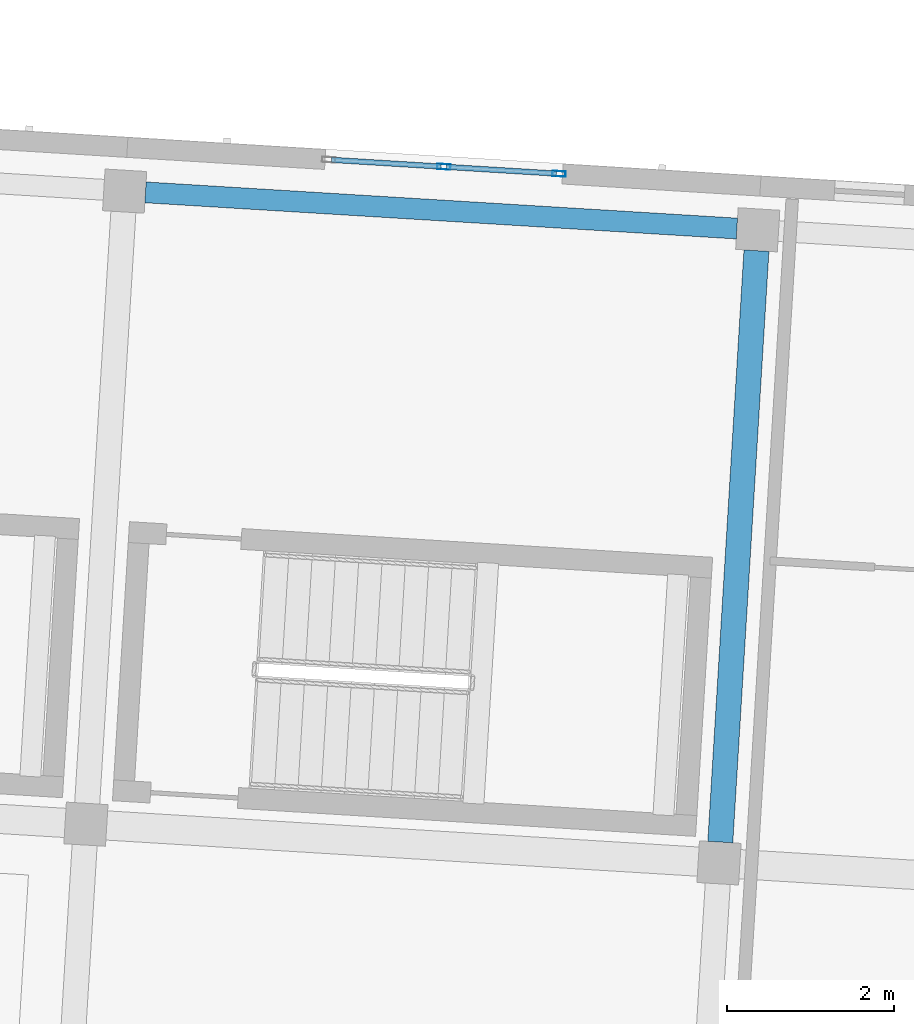
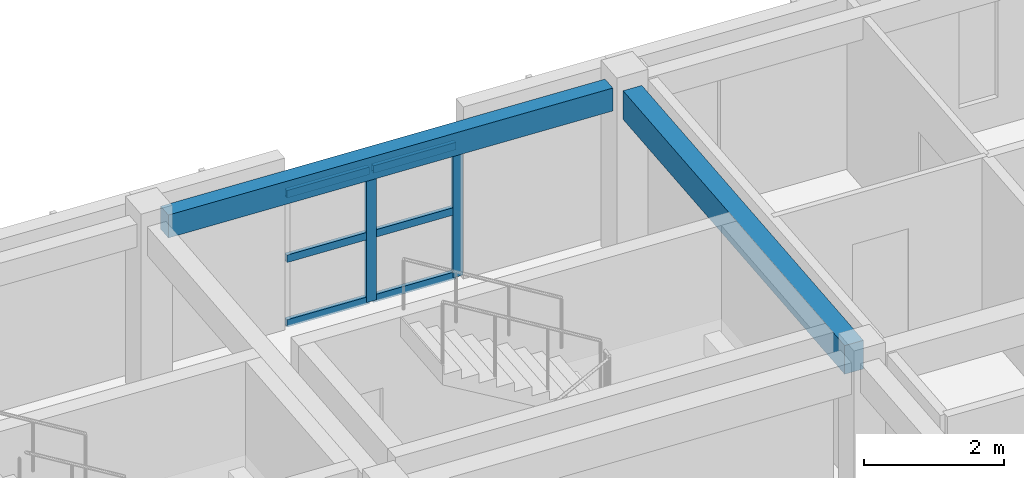
# One storey, part 4 of 74: 8 members, 2 beams, 1 element without a shape of its own.
"""IFC4 building model written with IfcOpenShell, lengths in metres."""

from ifc_helpers import new_model, si_unit, direction, frame, origin, origin_2d, place, context, subcontext, project, spatial, rectangle, hollow_rectangle, extrude, material, material_profile, profile_set, type_object, element, aggregate, save


model = new_model("IFC4")

# Units and contexts
model_context = context("Model", 3, precision=1e-05, world=origin(), true_north=direction((0.0, 1.0)))
body_context = subcontext(model_context, "Body", "Model", "MODEL_VIEW")
ifc_project = project(units=[si_unit("LENGTHUNIT", "METRE"), si_unit("AREAUNIT", "SQUARE_METRE"), si_unit("VOLUMEUNIT", "CUBIC_METRE"), si_unit("PLANEANGLEUNIT", "RADIAN"), si_unit("MASSUNIT", "GRAM", prefix="KILO")], contexts=[model_context])

# Site, building, storey
site_placement = place(None, origin())
site = spatial("IfcSite", under=ifc_project, at=site_placement, CompositionType="ELEMENT")
building_placement = place(site_placement, origin())
building = spatial("IfcBuilding", under=site, at=building_placement, Name="Kestramere Prow Commons", CompositionType="ELEMENT")
storey_placement = place(building_placement, frame((0.0, 0.0, 11.64990234375)))
storey = spatial("IfcBuildingStorey", under=building, at=storey_placement, Name="L03", CompositionType="ELEMENT", Elevation=11.64990234375)

# Beam
ifc_material_1 = material(Name="Precast concrete C40/50", Category="concrete")
ifc_material_profile_1 = material_profile(ifc_material_1, rectangle(XDim=0.300048828125, YDim=0.5, at=origin_2d()), Name="PC-BM 300x500")
ifc_profile_set_1 = profile_set([ifc_material_profile_1], Name="Precast concrete C40/50")
beam_type_1 = type_object("IfcBeamType", Name="BM-TIE-01 PC-BM 300x500", PredefinedType="BEAM", material=ifc_profile_set_1)
beam_1_placement = place(storey_placement, frame((83.00537109375, 57.335205078125, 2.75), z_axis=(0.061033859059, 0.99813569621, 0.0), x_axis=(-0.99813569621, 0.061033859059, 0.0)))
element("IfcBeam", 1, at=beam_1_placement, inside=storey, type_object=beam_type_1, Name="Block C L03 Transverse Beam 4-3", PredefinedType="BEAM", context=body_context, shape_type="SweptSolid", body=[
    extrude(rectangle(XDim=0.300048828125, YDim=0.5, at=origin_2d()), origin(), (0.0, 0.0, 1.0), 7.10009765625),
])

# Curtain wall, members
ifc_material_2 = material(Name="Anodised Aluminium and Low-E Glass", Category="aluminium")
curtain_wall_type = type_object("IfcCurtainWallType", Name="CW-03 Glazed Curtain Wall 2830x2320", PredefinedType="USERDEFINED", material=ifc_material_2)
curtain_wall_placement = place(storey_placement, origin())
curtain_wall = element("IfcCurtainWall", 2, at=curtain_wall_placement, inside=storey, type_object=curtain_wall_type, Name="Block C L03 Stairwell Vertical Glazing 3", ObjectType="GLAZED CURTAIN WALL", PredefinedType="USERDEFINED")
ifc_material_3 = material(Name="Anodised Aluminium 6063-T6", Category="aluminium")
ifc_material_profile_2 = material_profile(ifc_material_3, hollow_rectangle(XDim=0.06494140625, YDim=0.159912109375, WallThickness=0.00390625, at=origin_2d()), Name="ALU-MUL 65x160")
ifc_profile_set_2 = profile_set([ifc_material_profile_2], Name="Anodised Aluminium 6063-T6")
member_type_1 = type_object("IfcMemberType", Name="CW-MUL-65x160", PredefinedType="MULLION", material=ifc_profile_set_2)
member_1_placement = place(storey_placement, frame((79.693115234375, 65.427490234375, 0.0), z_axis=(0.0, 0.0, 1.0), x_axis=(0.061048399176, 0.998134807007, 0.0)))
member_1 = element("IfcMember", 3, at=member_1_placement, type_object=member_type_1, Name="CW-03 mullion 2", PredefinedType="MULLION", context=body_context, shape_type="SweptSolid", body=[
    extrude(hollow_rectangle(XDim=0.06494140625, YDim=0.159912109375, WallThickness=0.00390625, at=origin_2d()), origin(), (0.0, 0.0, 1.0), 2.320068359375),
])
member_2_placement = place(storey_placement, frame((81.072998046875, 65.34326171875, 0.0), z_axis=(0.0, 0.0, 1.0), x_axis=(0.061048399176, 0.998134807007, 0.0)))
member_2 = element("IfcMember", 4, at=member_2_placement, type_object=member_type_1, Name="CW-03 mullion 3", PredefinedType="MULLION", context=body_context, shape_type="SweptSolid", body=[
    extrude(hollow_rectangle(XDim=0.06494140625, YDim=0.159912109375, WallThickness=0.00390625, at=origin_2d()), origin(), (0.0, 0.0, 1.0), 2.320068359375),
])
ifc_material_profile_3 = material_profile(ifc_material_3, hollow_rectangle(XDim=0.06494140625, YDim=0.1298828125, WallThickness=0.00390625, at=origin_2d()), Name="ALU-TRN 65x130")
ifc_profile_set_3 = profile_set([ifc_material_profile_3], Name="Anodised Aluminium 6063-T6")
member_type_2 = type_object("IfcMemberType", Name="CW-TRN-65x130", PredefinedType="USERDEFINED", material=ifc_profile_set_3)
member_3_placement = place(storey_placement, frame((78.345703125, 65.510009765625, 0.03271484375), z_axis=(0.99812826429, -0.061155277983, 0.0), x_axis=(0.061155277983, 0.99812826429, 0.0)))
member_3 = element("IfcMember", 5, at=member_3_placement, type_object=member_type_2, Name="CW-03 transom 1.1", ObjectType="TRANSOM", PredefinedType="USERDEFINED", context=body_context, shape_type="SweptSolid", body=[
    extrude(hollow_rectangle(XDim=0.06494140625, YDim=0.1298828125, WallThickness=0.00390625, at=origin_2d()), origin(), (0.0, 0.0, 1.0), 1.3173828125),
])
member_4_placement = place(storey_placement, frame((78.345703125, 65.510009765625, 1.16015625), z_axis=(0.99812826429, -0.061155277983, 0.0), x_axis=(0.061155277983, 0.99812826429, 0.0)))
member_4 = element("IfcMember", 6, at=member_4_placement, type_object=member_type_2, Name="CW-03 transom 1.2", ObjectType="TRANSOM", PredefinedType="USERDEFINED", context=body_context, shape_type="SweptSolid", body=[
    extrude(hollow_rectangle(XDim=0.06494140625, YDim=0.1298828125, WallThickness=0.00390625, at=origin_2d()), origin(), (0.0, 0.0, 1.0), 1.3173828125),
])
member_5_placement = place(storey_placement, frame((78.345703125, 65.510009765625, 2.28759765625), z_axis=(0.99812826429, -0.061155277983, 0.0), x_axis=(0.061155277983, 0.99812826429, 0.0)))
member_5 = element("IfcMember", 7, at=member_5_placement, type_object=member_type_2, Name="CW-03 transom 1.3", ObjectType="TRANSOM", PredefinedType="USERDEFINED", context=body_context, shape_type="SweptSolid", body=[
    extrude(hollow_rectangle(XDim=0.06494140625, YDim=0.1298828125, WallThickness=0.00390625, at=origin_2d()), origin(), (0.0, 0.0, 1.0), 1.3173828125),
])
member_6_placement = place(storey_placement, frame((79.7255859375, 65.425537109375, 0.03271484375), z_axis=(0.998139559366, -0.06097064891, 0.0), x_axis=(0.06097064891, 0.998139559366, 0.0)))
member_6 = element("IfcMember", 8, at=member_6_placement, type_object=member_type_2, Name="CW-03 transom 2.1", ObjectType="TRANSOM", PredefinedType="USERDEFINED", context=body_context, shape_type="SweptSolid", body=[
    extrude(hollow_rectangle(XDim=0.06494140625, YDim=0.1298828125, WallThickness=0.00390625, at=origin_2d()), origin(), (0.0, 0.0, 1.0), 1.3173828125),
])
member_7_placement = place(storey_placement, frame((79.7255859375, 65.425537109375, 1.16015625), z_axis=(0.998139559366, -0.06097064891, 0.0), x_axis=(0.06097064891, 0.998139559366, 0.0)))
member_7 = element("IfcMember", 9, at=member_7_placement, type_object=member_type_2, Name="CW-03 transom 2.2", ObjectType="TRANSOM", PredefinedType="USERDEFINED", context=body_context, shape_type="SweptSolid", body=[
    extrude(hollow_rectangle(XDim=0.06494140625, YDim=0.1298828125, WallThickness=0.00390625, at=origin_2d()), origin(), (0.0, 0.0, 1.0), 1.3173828125),
])
member_8_placement = place(storey_placement, frame((79.7255859375, 65.425537109375, 2.28759765625), z_axis=(0.998139559366, -0.06097064891, 0.0), x_axis=(0.06097064891, 0.998139559366, 0.0)))
member_8 = element("IfcMember", 10, at=member_8_placement, type_object=member_type_2, Name="CW-03 transom 2.3", ObjectType="TRANSOM", PredefinedType="USERDEFINED", context=body_context, shape_type="SweptSolid", body=[
    extrude(hollow_rectangle(XDim=0.06494140625, YDim=0.1298828125, WallThickness=0.00390625, at=origin_2d()), origin(), (0.0, 0.0, 1.0), 1.3173828125),
])
aggregate(curtain_wall, [member_1, member_2, member_3, member_4, member_5, member_6, member_7, member_8])

# Beam
ifc_material_profile_4 = material_profile(ifc_material_1, rectangle(XDim=0.25, YDim=0.39990234375, at=origin_2d()), Name="PC-SP 250x400")
ifc_profile_set_4 = profile_set([ifc_material_profile_4], Name="Precast concrete C40/50")
beam_type_2 = type_object("IfcBeamType", Name="SP-EXT-01 PC-SP 250x400", PredefinedType="SPANDREL", material=ifc_profile_set_4)
beam_2_placement = place(storey_placement, frame((76.11767578125, 65.120361328125, 2.800048828125), z_axis=(0.998133600873, -0.061068116134, 0.0), x_axis=(0.061068116134, 0.998133600873, 0.0)))
element("IfcBeam", 11, at=beam_2_placement, inside=storey, type_object=beam_type_2, Name="Block C L03 Longitudinal Beam 4-3", PredefinedType="SPANDREL", context=body_context, shape_type="SweptSolid", body=[
    extrude(rectangle(XDim=0.25, YDim=0.39990234375, at=origin_2d()), origin(), (0.0, 0.0, 1.0), 7.10009765625),
])

save(model, "model.ifc")
